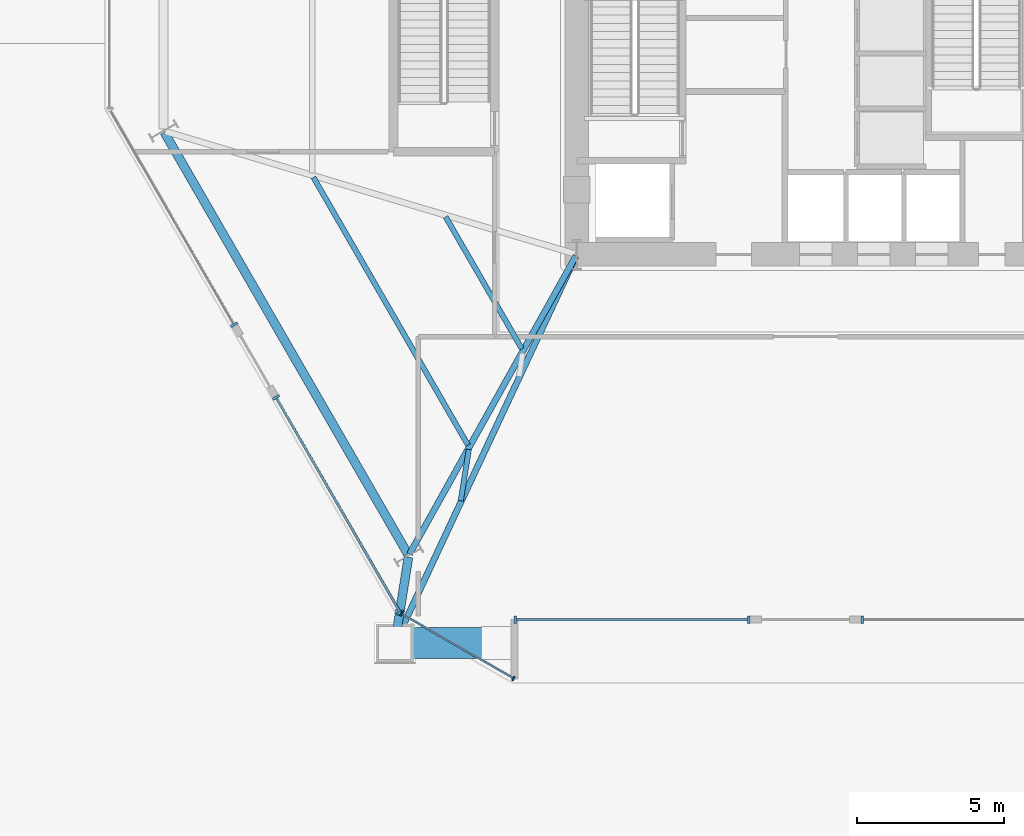
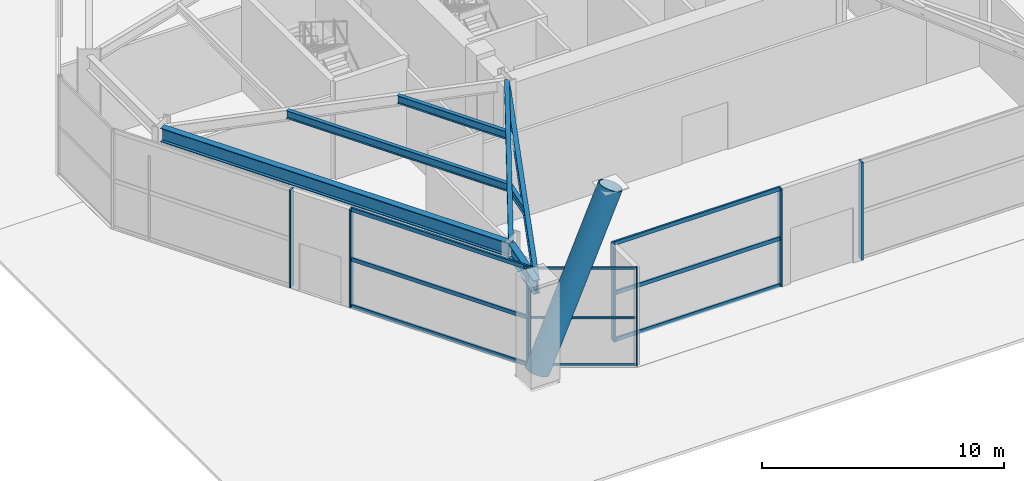
# One storey, part 5 of 26: 18 members, 7 beams, 5 elements without a shape of their own.
"""IFC4 building model written with IfcOpenShell, lengths in metres."""

from ifc_helpers import new_model, si_unit, direction, frame, origin, origin_2d, place, context, subcontext, project, spatial, rectangle, hollow_circle, i_section, extrude, material, layer, layer_set, material_profile, profile_set, type_object, element, aggregate, save


model = new_model("IFC4")

# Units and contexts
model_context = context("Model", 3, precision=1e-05, world=origin(), true_north=direction((0.0, 1.0)))
body_context = subcontext(model_context, "Body", "Model", "MODEL_VIEW")
ifc_project = project(units=[si_unit("LENGTHUNIT", "METRE"), si_unit("AREAUNIT", "SQUARE_METRE"), si_unit("VOLUMEUNIT", "CUBIC_METRE"), si_unit("PLANEANGLEUNIT", "RADIAN"), si_unit("MASSUNIT", "GRAM", prefix="KILO")], contexts=[model_context])

# Site, building, storey
site_placement = place(None, origin())
site = spatial("IfcSite", under=ifc_project, at=site_placement, CompositionType="ELEMENT")
building_placement = place(site_placement, origin())
building = spatial("IfcBuilding", under=site, at=building_placement, Name="Kranzbogen Civic Tower", CompositionType="ELEMENT")
storey_placement = place(building_placement, origin())
storey = spatial("IfcBuildingStorey", under=building, at=storey_placement, Name="L00", CompositionType="ELEMENT", Elevation=0.0)

# Curtain wall, members
ifc_material_1 = material(Name="Pale Anodised Aluminium", Category="aluminium")
ifc_layer_1 = layer(ifc_material_1, 0.219970703125, Name="Pale Anodised Aluminium")
ifc_layer_set_1 = layer_set([ifc_layer_1], Name="Pale Anodised Aluminium")
curtain_wall_type_1 = type_object("IfcCurtainWallType", Name="Chamfer Facet Stick Curtain Wall System CW-06", PredefinedType="USERDEFINED", material=ifc_layer_set_1)
curtain_wall_1_placement = place(storey_placement, origin())
curtain_wall_1 = element("IfcCurtainWall", 1, at=curtain_wall_1_placement, inside=storey, type_object=curtain_wall_type_1, Name="L00 curtain wall CW-L00-C4", ObjectType="STICK CURTAIN WALL", PredefinedType="USERDEFINED")
ifc_material_profile_1 = material_profile(ifc_material_1, rectangle(XDim=0.06005859375, YDim=0.159912109375, at=origin_2d()), Name="ALU-M 60x160")
ifc_profile_set_1 = profile_set([ifc_material_profile_1], Name="Pale Anodised Aluminium")
member_type_1 = type_object("IfcMemberType", Name="Curtain Wall Mullion ALU-M 60x160", PredefinedType="MULLION", material=ifc_profile_set_1)
member_1_placement = place(storey_placement, frame((11.221923828125, 5.549072265625, 0.0), z_axis=(0.0, 0.0, 1.0), x_axis=(0.865992001897, -0.500057849305, 0.0)))
member_1 = element("IfcMember", 2, at=member_1_placement, type_object=member_type_1, Name="CW-06 mullion 1", PredefinedType="MULLION", context=body_context, shape_type="SweptSolid", body=[
    extrude(rectangle(XDim=0.06005859375, YDim=0.159912109375, at=origin_2d()), origin(), (0.0, 0.0, 1.0), 4.93994140625),
])
member_2_placement = place(storey_placement, frame((15.0439453125, 3.342041015625, 0.0), z_axis=(0.0, 0.0, 1.0), x_axis=(0.865992001897, -0.500057849305, 0.0)))
member_2 = element("IfcMember", 3, at=member_2_placement, type_object=member_type_1, Name="CW-06 mullion 2", PredefinedType="MULLION", context=body_context, shape_type="SweptSolid", body=[
    extrude(rectangle(XDim=0.06005859375, YDim=0.159912109375, at=origin_2d()), origin(), (0.0, 0.0, 1.0), 4.93994140625),
])

# Curtain wall, member
ifc_layer_2 = layer(ifc_material_1, 0.219970703125, Name="Pale Anodised Aluminium")
ifc_layer_set_2 = layer_set([ifc_layer_2], Name="Pale Anodised Aluminium")
curtain_wall_type_2 = type_object("IfcCurtainWallType", Name="Podium Stick Curtain Wall System CW-01", PredefinedType="USERDEFINED", material=ifc_layer_set_2)
curtain_wall_2_placement = place(storey_placement, origin())
curtain_wall_2 = element("IfcCurtainWall", 4, at=curtain_wall_2_placement, inside=storey, type_object=curtain_wall_type_2, Name="L00 curtain wall CW-L00-F4-S1", ObjectType="STICK CURTAIN WALL", PredefinedType="USERDEFINED")
ifc_material_profile_2 = material_profile(ifc_material_1, rectangle(XDim=0.0849609375, YDim=0.260009765625, at=origin_2d()), Name="ALU-M 85x260")
ifc_profile_set_2 = profile_set([ifc_material_profile_2], Name="Pale Anodised Aluminium")
member_type_2 = type_object("IfcMemberType", Name="Curtain Wall Mullion ALU-M 85x260", PredefinedType="MULLION", material=ifc_profile_set_2)
member_3_placement = place(storey_placement, frame((5.51611328125, 15.402099609375, 0.0), z_axis=(0.0, 0.0, 1.0), x_axis=(0.500009985053, -0.866019638835, 0.0)))
member_3 = element("IfcMember", 5, at=member_3_placement, type_object=member_type_2, Name="CW-01 mullion 2", PredefinedType="MULLION", context=body_context, shape_type="SweptSolid", body=[
    extrude(rectangle(XDim=0.0849609375, YDim=0.260009765625, at=origin_2d()), origin(), (0.0, 0.0, 1.0), 4.93994140625),
])
aggregate(curtain_wall_2, [member_3])

# Curtain wall, members
curtain_wall_3_placement = place(storey_placement, origin())
curtain_wall_3 = element("IfcCurtainWall", 6, at=curtain_wall_3_placement, inside=storey, type_object=curtain_wall_type_2, Name="L00 curtain wall CW-L00-F4-S2", ObjectType="STICK CURTAIN WALL", PredefinedType="USERDEFINED")
member_4_placement = place(storey_placement, frame((6.946044921875, 12.925048828125, 0.0), z_axis=(0.0, 0.0, 1.0), x_axis=(0.500009985053, -0.866019638835, 0.0)))
member_4 = element("IfcMember", 7, at=member_4_placement, type_object=member_type_2, Name="CW-01 mullion 1", PredefinedType="MULLION", context=body_context, shape_type="SweptSolid", body=[
    extrude(rectangle(XDim=0.0849609375, YDim=0.260009765625, at=origin_2d()), origin(), (0.0, 0.0, 1.0), 4.93994140625),
])
member_5_placement = place(storey_placement, frame((11.180908203125, 5.590087890625, 0.0), z_axis=(0.0, 0.0, 1.0), x_axis=(0.500009985053, -0.866019638835, 0.0)))
member_5 = element("IfcMember", 8, at=member_5_placement, type_object=member_type_2, Name="CW-01 mullion 2", PredefinedType="MULLION", context=body_context, shape_type="SweptSolid", body=[
    extrude(rectangle(XDim=0.0849609375, YDim=0.260009765625, at=origin_2d()), origin(), (0.0, 0.0, 1.0), 4.93994140625),
])

curtain_wall_4_placement = place(storey_placement, origin())
curtain_wall_4 = element("IfcCurtainWall", 9, at=curtain_wall_4_placement, inside=storey, type_object=curtain_wall_type_2, Name="L00 curtain wall CW-L00-F5-S1", ObjectType="STICK CURTAIN WALL", PredefinedType="USERDEFINED")
member_6_placement = place(storey_placement, frame((15.10009765625, 5.35009765625, 0.0), z_axis=(0.0, 0.0, 1.0), x_axis=(1.0, 0.0, 0.0)))
member_6 = element("IfcMember", 10, at=member_6_placement, type_object=member_type_2, Name="CW-01 mullion 1", PredefinedType="MULLION", context=body_context, shape_type="SweptSolid", body=[
    extrude(rectangle(XDim=0.0849609375, YDim=0.260009765625, at=origin_2d()), origin(), (0.0, 0.0, 1.0), 4.93994140625),
])
member_7_placement = place(storey_placement, frame((23.070068359375, 5.35009765625, 0.0), z_axis=(0.0, 0.0, 1.0), x_axis=(1.0, 0.0, 0.0)))
member_7 = element("IfcMember", 11, at=member_7_placement, type_object=member_type_2, Name="CW-01 mullion 2", PredefinedType="MULLION", context=body_context, shape_type="SweptSolid", body=[
    extrude(rectangle(XDim=0.0849609375, YDim=0.260009765625, at=origin_2d()), origin(), (0.0, 0.0, 1.0), 4.93994140625),
])

# Curtain wall, member
curtain_wall_5_placement = place(storey_placement, origin())
curtain_wall_5 = element("IfcCurtainWall", 12, at=curtain_wall_5_placement, inside=storey, type_object=curtain_wall_type_2, Name="L00 curtain wall CW-L00-F5-S2", ObjectType="STICK CURTAIN WALL", PredefinedType="USERDEFINED")
member_8_placement = place(storey_placement, frame((26.929931640625, 5.35009765625, 0.0), z_axis=(0.0, 0.0, 1.0), x_axis=(1.0, 0.0, 0.0)))
member_8 = element("IfcMember", 13, at=member_8_placement, type_object=member_type_2, Name="CW-01 mullion 1", PredefinedType="MULLION", context=body_context, shape_type="SweptSolid", body=[
    extrude(rectangle(XDim=0.0849609375, YDim=0.260009765625, at=origin_2d()), origin(), (0.0, 0.0, 1.0), 4.93994140625),
])
aggregate(curtain_wall_5, [member_8])

# Member
ifc_material_profile_3 = material_profile(ifc_material_1, rectangle(XDim=0.06005859375, YDim=0.1201171875, at=origin_2d()), Name="ALU-T 60x120")
ifc_profile_set_3 = profile_set([ifc_material_profile_3], Name="Pale Anodised Aluminium")
member_type_3 = type_object("IfcMemberType", Name="Curtain Wall Transom ALU-T 60x120", PredefinedType="USERDEFINED", material=ifc_profile_set_3)
member_9_placement = place(storey_placement, frame((11.248046875, 5.533935546875, 0.030029296875), z_axis=(0.865987588642, -0.500065492029, 0.0), x_axis=(0.500065492029, 0.865987588642, 0.0)))
member_9 = element("IfcMember", 14, at=member_9_placement, type_object=member_type_3, Name="CW-06 transom 1.1", ObjectType="TRANSOM", PredefinedType="USERDEFINED", context=body_context, shape_type="SweptSolid", body=[
    extrude(rectangle(XDim=0.06005859375, YDim=0.1201171875, at=origin_2d()), origin(), (0.0, 0.0, 1.0), 4.353515625),
])

member_10_placement = place(storey_placement, frame((11.248046875, 5.533935546875, 2.39990234375), z_axis=(0.865987588642, -0.500065492029, 0.0), x_axis=(0.500065492029, 0.865987588642, 0.0)))
member_10 = element("IfcMember", 15, at=member_10_placement, type_object=member_type_3, Name="CW-06 transom 1.2", ObjectType="TRANSOM", PredefinedType="USERDEFINED", context=body_context, shape_type="SweptSolid", body=[
    extrude(rectangle(XDim=0.06005859375, YDim=0.1201171875, at=origin_2d()), origin(), (0.0, 0.0, 1.0), 4.353515625),
])

member_11_placement = place(storey_placement, frame((11.248046875, 5.533935546875, 4.909912109375), z_axis=(0.865987588642, -0.500065492029, 0.0), x_axis=(0.500065492029, 0.865987588642, 0.0)))
member_11 = element("IfcMember", 16, at=member_11_placement, type_object=member_type_3, Name="CW-06 transom 1.3", ObjectType="TRANSOM", PredefinedType="USERDEFINED", context=body_context, shape_type="SweptSolid", body=[
    extrude(rectangle(XDim=0.06005859375, YDim=0.1201171875, at=origin_2d()), origin(), (0.0, 0.0, 1.0), 4.353515625),
])

aggregate(curtain_wall_1, [member_1, member_2, member_9, member_10, member_11])

ifc_material_profile_4 = material_profile(ifc_material_1, rectangle(XDim=0.0849609375, YDim=0.195068359375, at=origin_2d()), Name="ALU-T 85x195")
ifc_profile_set_4 = profile_set([ifc_material_profile_4], Name="Pale Anodised Aluminium")
member_type_4 = type_object("IfcMemberType", Name="Curtain Wall Transom ALU-T 85x195", PredefinedType="USERDEFINED", material=ifc_profile_set_4)
member_12_placement = place(storey_placement, frame((6.9609375, 12.89892578125, 0.030029296875), z_axis=(0.500023168854, -0.866012026827, 0.0), x_axis=(0.866012026827, 0.500023168854, 0.0)))
member_12 = element("IfcMember", 17, at=member_12_placement, type_object=member_type_4, Name="CW-01 transom 1.1", ObjectType="TRANSOM", PredefinedType="USERDEFINED", context=body_context, shape_type="SweptSolid", body=[
    extrude(rectangle(XDim=0.0849609375, YDim=0.195068359375, at=origin_2d()), origin(), (0.0, 0.0, 1.0), 8.40966796875),
])

member_13_placement = place(storey_placement, frame((6.9609375, 12.89892578125, 2.39990234375), z_axis=(0.500023168854, -0.866012026827, 0.0), x_axis=(0.866012026827, 0.500023168854, 0.0)))
member_13 = element("IfcMember", 18, at=member_13_placement, type_object=member_type_4, Name="CW-01 transom 1.2", ObjectType="TRANSOM", PredefinedType="USERDEFINED", context=body_context, shape_type="SweptSolid", body=[
    extrude(rectangle(XDim=0.0849609375, YDim=0.195068359375, at=origin_2d()), origin(), (0.0, 0.0, 1.0), 8.40966796875),
])

member_14_placement = place(storey_placement, frame((6.9609375, 12.89892578125, 4.909912109375), z_axis=(0.500023168854, -0.866012026827, 0.0), x_axis=(0.866012026827, 0.500023168854, 0.0)))
member_14 = element("IfcMember", 19, at=member_14_placement, type_object=member_type_4, Name="CW-01 transom 1.3", ObjectType="TRANSOM", PredefinedType="USERDEFINED", context=body_context, shape_type="SweptSolid", body=[
    extrude(rectangle(XDim=0.0849609375, YDim=0.195068359375, at=origin_2d()), origin(), (0.0, 0.0, 1.0), 8.40966796875),
])

aggregate(curtain_wall_3, [member_4, member_5, member_12, member_13, member_14])

member_15_placement = place(storey_placement, frame((15.1298828125, 5.35009765625, 0.030029296875), z_axis=(1.0, 0.0, 0.0), x_axis=(0.0, 1.0, 0.0)))
member_15 = element("IfcMember", 20, at=member_15_placement, type_object=member_type_4, Name="CW-01 transom 1.1", ObjectType="TRANSOM", PredefinedType="USERDEFINED", context=body_context, shape_type="SweptSolid", body=[
    extrude(rectangle(XDim=0.0849609375, YDim=0.195068359375, at=origin_2d()), origin(), (0.0, 0.0, 1.0), 7.91015625),
])

member_16_placement = place(storey_placement, frame((15.1298828125, 5.35009765625, 2.39990234375), z_axis=(1.0, 0.0, 0.0), x_axis=(0.0, 1.0, 0.0)))
member_16 = element("IfcMember", 21, at=member_16_placement, type_object=member_type_4, Name="CW-01 transom 1.2", ObjectType="TRANSOM", PredefinedType="USERDEFINED", context=body_context, shape_type="SweptSolid", body=[
    extrude(rectangle(XDim=0.0849609375, YDim=0.195068359375, at=origin_2d()), origin(), (0.0, 0.0, 1.0), 7.91015625),
])

member_17_placement = place(storey_placement, frame((15.1298828125, 5.35009765625, 4.909912109375), z_axis=(1.0, 0.0, 0.0), x_axis=(0.0, 1.0, 0.0)))
member_17 = element("IfcMember", 22, at=member_17_placement, type_object=member_type_4, Name="CW-01 transom 1.3", ObjectType="TRANSOM", PredefinedType="USERDEFINED", context=body_context, shape_type="SweptSolid", body=[
    extrude(rectangle(XDim=0.0849609375, YDim=0.195068359375, at=origin_2d()), origin(), (0.0, 0.0, 1.0), 7.91015625),
])

aggregate(curtain_wall_4, [member_6, member_7, member_15, member_16, member_17])

# Beams
ifc_material_2 = material(Name="Steel S355", Category="steel")
ifc_material_profile_5 = material_profile(ifc_material_2, i_section(OverallWidth=0.300048828125, OverallDepth=0.699951171875, WebThickness=0.01708984375, FlangeThickness=0.031982421875, at=origin_2d()), Name="HEB 700")
ifc_profile_set_5 = profile_set([ifc_material_profile_5], Name="Steel S355")
beam_type_1 = type_object("IfcBeamType", Name="Perimeter Tube Spandrel Beam HEB 700", PredefinedType="SPANDREL", material=ifc_profile_set_5)
beam_1_placement = place(storey_placement, frame((3.139892578125, 21.9619140625, 4.590087890625), z_axis=(0.500010210561, -0.866019508634, 0.0), x_axis=(0.866019508634, 0.500010210561, 0.0)))
element("IfcBeam", 23, at=beam_1_placement, inside=storey, type_object=beam_type_1, Name="L00 perimeter spandrel beam 01", PredefinedType="SPANDREL", context=body_context, shape_type="SweptSolid", body=[
    extrude(i_section(OverallWidth=0.300048828125, OverallDepth=0.699951171875, WebThickness=0.01708984375, FlangeThickness=0.031982421875, at=origin_2d()), origin(), (0.0, 0.0, 1.0), 16.597900390625),
])
beam_2_placement = place(storey_placement, frame((11.4599609375, 7.47705078125, 4.590087890625), z_axis=(-0.155310516678, -0.9878657011, 0.0), x_axis=(0.9878657011, -0.155310516678, 0.0)))
element("IfcBeam", 24, at=beam_2_placement, inside=storey, type_object=beam_type_1, Name="L00 perimeter spandrel beam 02", PredefinedType="SPANDREL", context=body_context, shape_type="SweptSolid", body=[
    extrude(i_section(OverallWidth=0.300048828125, OverallDepth=0.699951171875, WebThickness=0.01708984375, FlangeThickness=0.031982421875, at=origin_2d()), origin(), (0.0, 0.0, 1.0), 2.9033203125),
])

# Member
ifc_material_3 = material(Name="Steel S460", Category="steel")
ifc_material_profile_6 = material_profile(ifc_material_3, hollow_circle(Radius=0.533447265625, WallThickness=0.0400390625, at=origin_2d()), Name="CHS 1067x40")
ifc_profile_set_6 = profile_set([ifc_material_profile_6], Name="Steel S460")
member_type_5 = type_object("IfcMemberType", Name="Portal Arch Rib Segment CHS 1067x40", PredefinedType="USERDEFINED", material=ifc_profile_set_6)
member_18_placement = place(storey_placement, frame((11.0, 4.550048828125, 0.39990234375), z_axis=(0.395083104798, 0.0, 0.918645383324), x_axis=(0.0, 1.0, 0.0)))
element("IfcMember", 25, at=member_18_placement, inside=storey, type_object=member_type_5, Name="ARC-1: Giant South Portal Arch rib segment 1", ObjectType="ARCH_SEGMENT", PredefinedType="USERDEFINED", context=body_context, shape_type="SweptSolid", body=[
    extrude(hollow_circle(Radius=0.533447265625, WallThickness=0.0400390625, at=origin_2d()), origin(), (0.0, 0.0, 1.0), 8.85888671875),
])

# Beams
ifc_material_profile_7 = material_profile(ifc_material_2, i_section(OverallWidth=0.2099609375, OverallDepth=0.550048828125, WebThickness=0.010986328125, FlangeThickness=0.01708984375, at=origin_2d()), Name="IPE 550")
ifc_profile_set_7 = profile_set([ifc_material_profile_7], Name="Steel S355")
beam_type_2 = type_object("IfcBeamType", Name="Radial Tower Floor Girder IPE 550", PredefinedType="BEAM", material=ifc_profile_set_7)
beam_3_placement = place(storey_placement, frame((11.498046875, 7.587890625, 4.6650390625), z_axis=(0.487501570266, 0.87312211001, 0.0), x_axis=(-0.87312211001, 0.487501570266, 0.0)))
element("IfcBeam", 26, at=beam_3_placement, inside=storey, type_object=beam_type_2, Name="L00 radial floor girder 02", PredefinedType="BEAM", context=body_context, shape_type="SweptSolid", body=[
    extrude(i_section(OverallWidth=0.2099609375, OverallDepth=0.550048828125, WebThickness=0.010986328125, FlangeThickness=0.01708984375, at=origin_2d()), origin(), (0.0, 0.0, 1.0), 11.636474609375),
])
beam_4_placement = place(storey_placement, frame((11.02490234375, 4.60400390625, 4.6650390625), z_axis=(0.423857000271, 0.905729122487, 0.0), x_axis=(-0.905729122487, 0.423857000271, 0.0)))
element("IfcBeam", 27, at=beam_4_placement, inside=storey, type_object=beam_type_2, Name="L00 radial floor girder 03", PredefinedType="BEAM", context=body_context, shape_type="SweptSolid", body=[
    extrude(i_section(OverallWidth=0.2099609375, OverallDepth=0.550048828125, WebThickness=0.010986328125, FlangeThickness=0.01708984375, at=origin_2d()), origin(), (0.0, 0.0, 1.0), 14.510009765625),
])
ifc_material_profile_8 = material_profile(ifc_material_2, i_section(OverallWidth=0.179931640625, OverallDepth=0.39990234375, WebThickness=0.008544921875, FlangeThickness=0.013427734375, at=origin_2d()), Name="IPE 400")
ifc_profile_set_8 = profile_set([ifc_material_profile_8], Name="Steel S355")
beam_type_3 = type_object("IfcBeamType", Name="Secondary Composite Floor Joist IPE 400", PredefinedType="JOIST", material=ifc_profile_set_8)
beam_5_placement = place(storey_placement, frame((8.221923828125, 20.427978515625, 4.739990234375), z_axis=(0.500000488781, -0.866025121586, 0.0), x_axis=(0.866025121586, 0.500000488781, 0.0)))
element("IfcBeam", 28, at=beam_5_placement, inside=storey, type_object=beam_type_3, Name="L00 secondary floor joist 1.01", PredefinedType="JOIST", context=body_context, shape_type="SweptSolid", body=[
    extrude(i_section(OverallWidth=0.179931640625, OverallDepth=0.39990234375, WebThickness=0.008544921875, FlangeThickness=0.013427734375, at=origin_2d()), origin(), (0.0, 0.0, 1.0), 10.5400390625),
])
beam_6_placement = place(storey_placement, frame((12.73095703125, 19.0791015625, 4.739990234375), z_axis=(0.500040090343, -0.866002256377, 0.0), x_axis=(0.866002256377, 0.500040090343, 0.0)))
element("IfcBeam", 29, at=beam_6_placement, inside=storey, type_object=beam_type_3, Name="L00 secondary floor joist 2.01", PredefinedType="JOIST", context=body_context, shape_type="SweptSolid", body=[
    extrude(i_section(OverallWidth=0.179931640625, OverallDepth=0.39990234375, WebThickness=0.008544921875, FlangeThickness=0.013427734375, at=origin_2d()), origin(), (0.0, 0.0, 1.0), 5.189453125),
])
beam_7_placement = place(storey_placement, frame((13.52001953125, 11.152099609375, 4.739990234375), z_axis=(-0.155581109843, -0.987823120938, 0.0), x_axis=(0.987823120938, -0.155581109843, 0.0)))
element("IfcBeam", 30, at=beam_7_placement, inside=storey, type_object=beam_type_3, Name="L00 secondary floor joist 1.02", PredefinedType="JOIST", context=body_context, shape_type="SweptSolid", body=[
    extrude(i_section(OverallWidth=0.179931640625, OverallDepth=0.39990234375, WebThickness=0.008544921875, FlangeThickness=0.013427734375, at=origin_2d()), origin(), (0.0, 0.0, 1.0), 1.77490234375),
])

save(model, "model.ifc")
